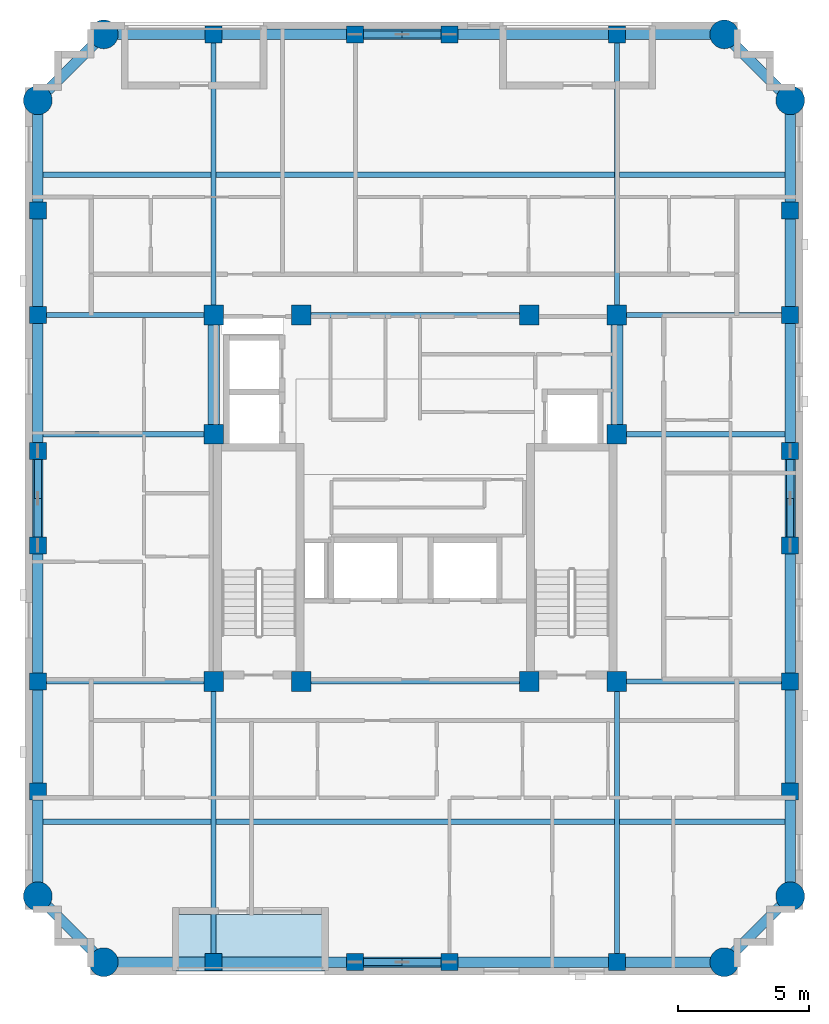
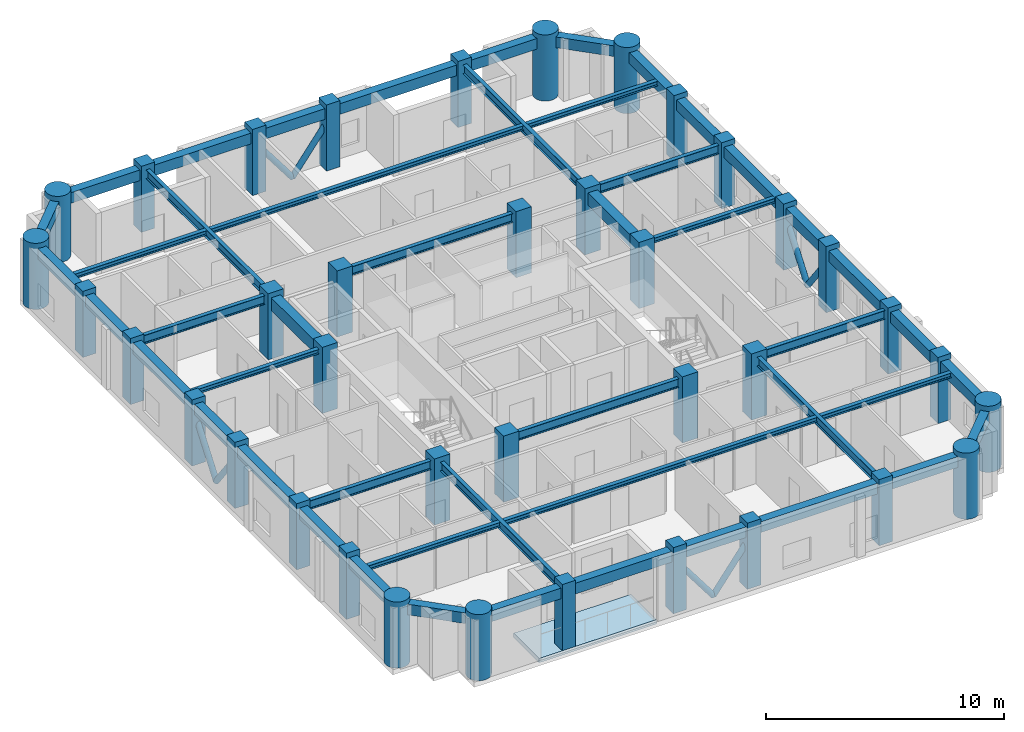
# One storey, part 1 of 10: 48 beams, 38 columns, 8 members, 1 slab.
"""IFC4 building model written with IfcOpenShell, lengths in metres."""

from ifc_helpers import new_model, si_unit, derived_unit, direction, frame, origin, origin_2d, place, context, subcontext, project, spatial, polyline, rectangle, circle, hollow_circle, i_section, outline, extrude, material, layer, layer_set, material_profile, profile_set, type_object, element, save


model = new_model("IFC4")

# Units and contexts
model_context = context("Model", 3, precision=1e-05, world=origin(), true_north=direction((0.0, 1.0)))
body_context = subcontext(model_context, "Body", "Model", "MODEL_VIEW")
ifc_project = project(units=[si_unit("LENGTHUNIT", "METRE"), si_unit("AREAUNIT", "SQUARE_METRE"), si_unit("VOLUMEUNIT", "CUBIC_METRE"), si_unit("PLANEANGLEUNIT", "RADIAN"), si_unit("MASSUNIT", "GRAM", prefix="KILO"), derived_unit("THERMALTRANSMITTANCEUNIT", [(si_unit("MASSUNIT", "GRAM", prefix="KILO"), 1), (si_unit("TIMEUNIT", "SECOND"), -3), (si_unit("THERMODYNAMICTEMPERATUREUNIT", "KELVIN"), -1)])], contexts=[model_context])

# Site, building, storey
site_placement = place(None, origin())
site = spatial("IfcSite", under=ifc_project, at=site_placement, CompositionType="ELEMENT")
building_placement = place(site_placement, origin())
building = spatial("IfcBuilding", under=site, at=building_placement, Name="Korrvale Station Residences", CompositionType="ELEMENT")
storey_placement = place(building_placement, frame((0.0, 0.0, 217.300048828125)))
storey = spatial("IfcBuildingStorey", under=building, at=storey_placement, Name="L63", CompositionType="ELEMENT", Elevation=217.300048828125)

# Columns
ifc_material_1 = material(Name="Concrete C50/60", Category="concrete")
ifc_material_profile_1 = material_profile(ifc_material_1, rectangle(XDim=0.64990234375, YDim=0.64990234375, at=origin_2d()), Name="RC650x650")
ifc_profile_set_1 = profile_set([ifc_material_profile_1], Name="Concrete C50/60")
column_type_1 = type_object("IfcColumnType", Name="COL-C-RC650x650-C5060", PredefinedType="COLUMN", material=ifc_profile_set_1)
for number, where, z_axis, x_axis, name in (
    (1, (17.800048828125, 4.280029296875, 0.0), (0.0, 0.0, 1.0), (1.0, 0.0, 0.0), "L63 Bundled-Tube South Column 02"),
    (2, (23.199951171875, 4.280029296875, 0.0), (0.0, 0.0, 1.0), (1.0, 0.0, 0.0), "L63 Bundled-Tube South Column 03"),
    (3, (26.800048828125, 4.280029296875, 0.0), (0.0, 0.0, 1.0), (1.0, 0.0, 0.0), "L63 Bundled-Tube South Column 04"),
    (4, (33.199951171875, 4.280029296875, 0.0), (0.0, 0.0, 1.0), (1.0, 0.0, 0.0), "L63 Bundled-Tube South Column 05"),
    (5, (17.800048828125, 39.719970703125, 0.0), (0.0, 0.0, 1.0), (1.0, 0.0, 0.0), "L63 Bundled-Tube North Column 08"),
    (6, (23.199951171875, 39.719970703125, 0.0), (0.0, 0.0, 1.0), (1.0, 0.0, 0.0), "L63 Bundled-Tube North Column 09"),
    (7, (26.800048828125, 39.719970703125, 0.0), (0.0, 0.0, 1.0), (1.0, 0.0, 0.0), "L63 Bundled-Tube North Column 10"),
    (8, (33.199951171875, 39.719970703125, 0.0), (0.0, 0.0, 1.0), (1.0, 0.0, 0.0), "L63 Bundled-Tube North Column 11"),
    (9, (11.080078125, 10.800048828125, 0.0), (0.0, 0.0, 1.0), (1.0, 0.0, 0.0), "L63 Bundled-Tube West Column 14"),
    (10, (11.080078125, 15.0, 0.0), (0.0, 0.0, 1.0), (1.0, 0.0, 0.0), "L63 Bundled-Tube West Column 15"),
    (11, (11.080078125, 20.199951171875, 0.0), (0.0, 0.0, 1.0), (1.0, 0.0, 0.0), "L63 Bundled-Tube West Column 16"),
    (12, (11.080078125, 23.800048828125, 0.0), (0.0, 0.0, 1.0), (1.0, 0.0, 0.0), "L63 Bundled-Tube West Column 17"),
    (13, (11.080078125, 29.0, 0.0), (0.0, 0.0, 1.0), (1.0, 0.0, 0.0), "L63 Bundled-Tube West Column 18"),
    (14, (11.080078125, 33.0, 0.0), (0.0, 0.0, 1.0), (1.0, 0.0, 0.0), "L63 Bundled-Tube West Column 19"),
    (15, (39.820068359375, 10.800048828125, 0.0), (0.0, 0.0, 1.0), (1.0, 0.0, 0.0), "L63 Bundled-Tube East Column 22"),
    (16, (39.820068359375, 15.0, 0.0), (0.0, 0.0, 1.0), (1.0, 0.0, 0.0), "L63 Bundled-Tube East Column 23"),
    (17, (39.820068359375, 20.199951171875, 0.0), (0.0, 0.0, 1.0), (1.0, 0.0, 0.0), "L63 Bundled-Tube East Column 24"),
    (18, (39.820068359375, 23.800048828125, 0.0), (0.0, 0.0, 1.0), (1.0, 0.0, 0.0), "L63 Bundled-Tube East Column 25"),
    (19, (39.820068359375, 29.0, 0.0), (0.0, 0.0, 1.0), (1.0, 0.0, 0.0), "L63 Bundled-Tube East Column 26"),
    (20, (39.820068359375, 33.0, 0.0), (0.0, 0.0, 1.0), (1.0, 0.0, 0.0), "L63 Bundled-Tube East Column 27"),
):
    element("IfcColumn", number, at=place(storey_placement, frame(where, z_axis=z_axis, x_axis=x_axis)), inside=storey, type_object=column_type_1, Name=name, PredefinedType="COLUMN", context=body_context, shape_type="SweptSolid", body=[
        extrude(rectangle(XDim=0.64990234375, YDim=0.64990234375, at=origin_2d()), origin(), (0.0, 0.0, 1.0), 3.39990234375),
    ])
ifc_material_profile_2 = material_profile(ifc_material_1, rectangle(XDim=0.75, YDim=0.75, at=origin_2d()), Name="RC750x750")
ifc_profile_set_2 = profile_set([ifc_material_profile_2], Name="Concrete C50/60")
column_type_2 = type_object("IfcColumnType", Name="COL-C-RC750x750-C5060", PredefinedType="COLUMN", material=ifc_profile_set_2)
for number, where, z_axis, x_axis, name in (
    (21, (17.800048828125, 15.0, 0.0), (0.0, 0.0, 1.0), (1.0, 0.0, 0.0), "L63 Core Column 01"),
    (22, (21.14990234375, 15.0, 0.0), (0.0, 0.0, 1.0), (1.0, 0.0, 0.0), "L63 Core Column 02"),
    (23, (29.85009765625, 15.0, 0.0), (0.0, 0.0, 1.0), (1.0, 0.0, 0.0), "L63 Core Column 03"),
    (24, (33.199951171875, 15.0, 0.0), (0.0, 0.0, 1.0), (1.0, 0.0, 0.0), "L63 Core Column 04"),
    (25, (17.800048828125, 29.0, 0.0), (0.0, 0.0, 1.0), (1.0, 0.0, 0.0), "L63 Core Column 05"),
    (26, (21.14990234375, 29.0, 0.0), (0.0, 0.0, 1.0), (1.0, 0.0, 0.0), "L63 Core Column 06"),
    (27, (29.85009765625, 29.0, 0.0), (0.0, 0.0, 1.0), (1.0, 0.0, 0.0), "L63 Core Column 07"),
    (28, (33.199951171875, 29.0, 0.0), (0.0, 0.0, 1.0), (1.0, 0.0, 0.0), "L63 Core Column 08"),
    (29, (17.800048828125, 24.449951171875, 0.0), (0.0, 0.0, 1.0), (1.0, 0.0, 0.0), "L63 Core Column 09"),
    (30, (33.199951171875, 24.449951171875, 0.0), (0.0, 0.0, 1.0), (1.0, 0.0, 0.0), "L63 Core Column 10"),
):
    element("IfcColumn", number, at=place(storey_placement, frame(where, z_axis=z_axis, x_axis=x_axis)), inside=storey, type_object=column_type_2, Name=name, PredefinedType="COLUMN", context=body_context, shape_type="SweptSolid", body=[
        extrude(rectangle(XDim=0.75, YDim=0.75, at=origin_2d()), origin(), (0.0, 0.0, 1.0), 3.39990234375),
    ])
ifc_material_profile_3 = material_profile(ifc_material_1, circle(Radius=0.550048828125, at=origin_2d()), Name="RCC1100")
ifc_profile_set_3 = profile_set([ifc_material_profile_3], Name="Concrete C50/60")
column_type_3 = type_object("IfcColumnType", Name="COL-C-RCC1100-C5060", PredefinedType="COLUMN", material=ifc_profile_set_3)
for number, where, z_axis, x_axis, name in (
    (31, (13.60009765625, 4.280029296875, 0.0), (0.0, 0.0, 1.0), (1.0, 0.0, 0.0), "L63 Bundled-Tube South Column 01"),
    (32, (37.300048828125, 4.280029296875, 0.0), (0.0, 0.0, 1.0), (1.0, 0.0, 0.0), "L63 Bundled-Tube South Column 06"),
    (33, (13.60009765625, 39.719970703125, 0.0), (0.0, 0.0, 1.0), (1.0, 0.0, 0.0), "L63 Bundled-Tube North Column 07"),
    (34, (37.300048828125, 39.719970703125, 0.0), (0.0, 0.0, 1.0), (1.0, 0.0, 0.0), "L63 Bundled-Tube North Column 12"),
    (35, (11.080078125, 6.800048828125, 0.0), (0.0, 0.0, 1.0), (1.0, 0.0, 0.0), "L63 Bundled-Tube West Column 13"),
    (36, (11.080078125, 37.199951171875, 0.0), (0.0, 0.0, 1.0), (1.0, 0.0, 0.0), "L63 Bundled-Tube West Column 20"),
    (37, (39.820068359375, 6.800048828125, 0.0), (0.0, 0.0, 1.0), (1.0, 0.0, 0.0), "L63 Bundled-Tube East Column 21"),
    (38, (39.820068359375, 37.199951171875, 0.0), (0.0, 0.0, 1.0), (1.0, 0.0, 0.0), "L63 Bundled-Tube East Column 28"),
):
    element("IfcColumn", number, at=place(storey_placement, frame(where, z_axis=z_axis, x_axis=x_axis)), inside=storey, type_object=column_type_3, Name=name, PredefinedType="COLUMN", context=body_context, shape_type="SweptSolid", body=[
        extrude(circle(Radius=0.550048828125, at=origin_2d()), origin(), (0.0, 0.0, 1.0), 3.39990234375),
    ])

# Beams
ifc_material_2 = material(Name="Steel S355", Category="steel")
ifc_material_profile_4 = material_profile(ifc_material_2, i_section(OverallWidth=0.18994140625, OverallDepth=0.45703125, WebThickness=0.009033203125, FlangeThickness=0.014404296875, FilletRadius=0.01611328125, at=origin_2d()), Name="W460x74")
ifc_profile_set_4 = profile_set([ifc_material_profile_4], Name="Steel S355")
beam_type_1 = type_object("IfcBeamType", Name="BM-BM-W460x74-S355", PredefinedType="BEAM", material=ifc_profile_set_4)
for number, where, z_axis, x_axis, name in (
    (39, (17.800048828125, 4.280029296875, 2.911376953125), (0.0, 1.0, 0.0), (-1.0, 0.0, 0.0), "L63 Bundled-Tube Web Girder 01"),
    (40, (33.199951171875, 4.280029296875, 2.911376953125), (0.0, 1.0, 0.0), (-1.0, 0.0, 0.0), "L63 Bundled-Tube Web Girder 02"),
    (41, (17.800048828125, 29.0, 2.911376953125), (0.0, 1.0, 0.0), (-1.0, 0.0, 0.0), "L63 Bundled-Tube Web Girder 03"),
    (42, (33.199951171875, 29.0, 2.911376953125), (0.0, 1.0, 0.0), (-1.0, 0.0, 0.0), "L63 Bundled-Tube Web Girder 04"),
):
    element("IfcBeam", number, at=place(storey_placement, frame(where, z_axis=z_axis, x_axis=x_axis)), inside=storey, type_object=beam_type_1, Name=name, PredefinedType="BEAM", context=body_context, shape_type="SweptSolid", body=[
        extrude(i_section(OverallWidth=0.18994140625, OverallDepth=0.45703125, WebThickness=0.009033203125, FlangeThickness=0.014404296875, FilletRadius=0.01611328125, at=origin_2d()), origin(), (0.0, 0.0, 1.0), 10.719970703125),
    ])
beam_1_placement = place(storey_placement, frame((11.080078125, 15.0, 2.911376953125), z_axis=(1.0, 0.0, 0.0), x_axis=(0.0, 1.0, 0.0)))
element("IfcBeam", 43, at=beam_1_placement, inside=storey, type_object=beam_type_1, Name="L63 Bundled-Tube Web Girder 05", PredefinedType="BEAM", context=body_context, shape_type="SweptSolid", body=[
    extrude(i_section(OverallWidth=0.18994140625, OverallDepth=0.45703125, WebThickness=0.009033203125, FlangeThickness=0.014404296875, FilletRadius=0.01611328125, at=origin_2d()), origin(), (0.0, 0.0, 1.0), 6.719970703125),
])
beam_2_placement = place(storey_placement, frame((33.199951171875, 15.0, 2.911376953125), z_axis=(1.0, 0.0, 0.0), x_axis=(0.0, 1.0, 0.0)))
element("IfcBeam", 44, at=beam_2_placement, inside=storey, type_object=beam_type_1, Name="L63 Bundled-Tube Web Girder 06", PredefinedType="BEAM", context=body_context, shape_type="SweptSolid", body=[
    extrude(i_section(OverallWidth=0.18994140625, OverallDepth=0.45703125, WebThickness=0.009033203125, FlangeThickness=0.014404296875, FilletRadius=0.01611328125, at=origin_2d()), origin(), (0.0, 0.0, 1.0), 6.6201171875),
])
beam_3_placement = place(storey_placement, frame((11.080078125, 29.0, 2.911376953125), z_axis=(1.0, 0.0, 0.0), x_axis=(0.0, 1.0, 0.0)))
element("IfcBeam", 45, at=beam_3_placement, inside=storey, type_object=beam_type_1, Name="L63 Bundled-Tube Web Girder 07", PredefinedType="BEAM", context=body_context, shape_type="SweptSolid", body=[
    extrude(i_section(OverallWidth=0.18994140625, OverallDepth=0.45703125, WebThickness=0.009033203125, FlangeThickness=0.014404296875, FilletRadius=0.01611328125, at=origin_2d()), origin(), (0.0, 0.0, 1.0), 6.719970703125),
])
beam_4_placement = place(storey_placement, frame((33.199951171875, 29.0, 2.911376953125), z_axis=(1.0, 0.0, 0.0), x_axis=(0.0, 1.0, 0.0)))
element("IfcBeam", 46, at=beam_4_placement, inside=storey, type_object=beam_type_1, Name="L63 Bundled-Tube Web Girder 08", PredefinedType="BEAM", context=body_context, shape_type="SweptSolid", body=[
    extrude(i_section(OverallWidth=0.18994140625, OverallDepth=0.45703125, WebThickness=0.009033203125, FlangeThickness=0.014404296875, FilletRadius=0.01611328125, at=origin_2d()), origin(), (0.0, 0.0, 1.0), 6.6201171875),
])
for number, where, z_axis, x_axis, name in (
    (47, (21.14990234375, 15.0, 2.911376953125), (1.0, 0.0, 0.0), (0.0, 1.0, 0.0), "L63 Bundled-Tube Web Girder 09"),
    (48, (21.14990234375, 29.0, 2.911376953125), (1.0, 0.0, 0.0), (0.0, 1.0, 0.0), "L63 Bundled-Tube Web Girder 10"),
):
    element("IfcBeam", number, at=place(storey_placement, frame(where, z_axis=z_axis, x_axis=x_axis)), inside=storey, type_object=beam_type_1, Name=name, PredefinedType="BEAM", context=body_context, shape_type="SweptSolid", body=[
        extrude(i_section(OverallWidth=0.18994140625, OverallDepth=0.45703125, WebThickness=0.009033203125, FlangeThickness=0.014404296875, FilletRadius=0.01611328125, at=origin_2d()), origin(), (0.0, 0.0, 1.0), 8.7001953125),
    ])
ifc_material_profile_5 = material_profile(ifc_material_2, i_section(OverallWidth=0.201904296875, OverallDepth=0.2470703125, WebThickness=0.00732421875, FlangeThickness=0.010986328125, FilletRadius=0.012939453125, at=origin_2d()), Name="W250x49")
ifc_profile_set_5 = profile_set([ifc_material_profile_5], Name="Steel S355")
beam_type_2 = type_object("IfcBeamType", Name="BM-JST-W250x49-S355", PredefinedType="JOIST", material=ifc_profile_set_5)
beam_5_placement = place(storey_placement, frame((11.280029296875, 9.639892578125, 3.016357421875), z_axis=(1.0, 0.0, 0.0), x_axis=(0.0, 1.0, 0.0)))
element("IfcBeam", 49, at=beam_5_placement, inside=storey, type_object=beam_type_2, Name="L63 Floor Framing Joist 01", PredefinedType="JOIST", context=body_context, shape_type="SweptSolid", body=[
    extrude(i_section(OverallWidth=0.201904296875, OverallDepth=0.2470703125, WebThickness=0.00732421875, FlangeThickness=0.010986328125, FilletRadius=0.012939453125, at=origin_2d()), origin(), (0.0, 0.0, 1.0), 6.425048828125),
])
beam_6_placement = place(storey_placement, frame((17.89501953125, 9.639892578125, 3.016357421875), z_axis=(1.0, 0.0, 0.0), x_axis=(0.0, 1.0, 0.0)))
element("IfcBeam", 50, at=beam_6_placement, inside=storey, type_object=beam_type_2, Name="L63 Floor Framing Joist 02", PredefinedType="JOIST", context=body_context, shape_type="SweptSolid", body=[
    extrude(i_section(OverallWidth=0.201904296875, OverallDepth=0.2470703125, WebThickness=0.00732421875, FlangeThickness=0.010986328125, FilletRadius=0.012939453125, at=origin_2d()), origin(), (0.0, 0.0, 1.0), 15.2099609375),
])
beam_7_placement = place(storey_placement, frame((33.294921875, 9.639892578125, 3.016357421875), z_axis=(1.0, 0.0, 0.0), x_axis=(0.0, 1.0, 0.0)))
element("IfcBeam", 51, at=beam_7_placement, inside=storey, type_object=beam_type_2, Name="L63 Floor Framing Joist 03", PredefinedType="JOIST", context=body_context, shape_type="SweptSolid", body=[
    extrude(i_section(OverallWidth=0.201904296875, OverallDepth=0.2470703125, WebThickness=0.00732421875, FlangeThickness=0.010986328125, FilletRadius=0.012939453125, at=origin_2d()), origin(), (0.0, 0.0, 1.0), 6.3251953125),
])
beam_8_placement = place(storey_placement, frame((11.280029296875, 34.360107421875, 3.016357421875), z_axis=(1.0, 0.0, 0.0), x_axis=(0.0, 1.0, 0.0)))
element("IfcBeam", 52, at=beam_8_placement, inside=storey, type_object=beam_type_2, Name="L63 Floor Framing Joist 04", PredefinedType="JOIST", context=body_context, shape_type="SweptSolid", body=[
    extrude(i_section(OverallWidth=0.201904296875, OverallDepth=0.2470703125, WebThickness=0.00732421875, FlangeThickness=0.010986328125, FilletRadius=0.012939453125, at=origin_2d()), origin(), (0.0, 0.0, 1.0), 6.425048828125),
])
beam_9_placement = place(storey_placement, frame((17.89501953125, 34.360107421875, 3.016357421875), z_axis=(1.0, 0.0, 0.0), x_axis=(0.0, 1.0, 0.0)))
element("IfcBeam", 53, at=beam_9_placement, inside=storey, type_object=beam_type_2, Name="L63 Floor Framing Joist 05", PredefinedType="JOIST", context=body_context, shape_type="SweptSolid", body=[
    extrude(i_section(OverallWidth=0.201904296875, OverallDepth=0.2470703125, WebThickness=0.00732421875, FlangeThickness=0.010986328125, FilletRadius=0.012939453125, at=origin_2d()), origin(), (0.0, 0.0, 1.0), 15.2099609375),
])
beam_10_placement = place(storey_placement, frame((33.294921875, 34.360107421875, 3.016357421875), z_axis=(1.0, 0.0, 0.0), x_axis=(0.0, 1.0, 0.0)))
element("IfcBeam", 54, at=beam_10_placement, inside=storey, type_object=beam_type_2, Name="L63 Floor Framing Joist 06", PredefinedType="JOIST", context=body_context, shape_type="SweptSolid", body=[
    extrude(i_section(OverallWidth=0.201904296875, OverallDepth=0.2470703125, WebThickness=0.00732421875, FlangeThickness=0.010986328125, FilletRadius=0.012939453125, at=origin_2d()), origin(), (0.0, 0.0, 1.0), 6.3251953125),
])
beam_11_placement = place(storey_placement, frame((33.425048828125, 24.449951171875, 3.016357421875), z_axis=(1.0, 0.0, 0.0), x_axis=(0.0, 1.0, 0.0)))
element("IfcBeam", 55, at=beam_11_placement, inside=storey, type_object=beam_type_2, Name="L63 Floor Framing Joist 07", PredefinedType="JOIST", context=body_context, shape_type="SweptSolid", body=[
    extrude(i_section(OverallWidth=0.201904296875, OverallDepth=0.2470703125, WebThickness=0.00732421875, FlangeThickness=0.010986328125, FilletRadius=0.012939453125, at=origin_2d()), origin(), (0.0, 0.0, 1.0), 6.195068359375),
])
beam_12_placement = place(storey_placement, frame((11.280029296875, 24.449951171875, 3.016357421875), z_axis=(1.0, 0.0, 0.0), x_axis=(0.0, 1.0, 0.0)))
element("IfcBeam", 56, at=beam_12_placement, inside=storey, type_object=beam_type_2, Name="L63 Floor Framing Joist 08", PredefinedType="JOIST", context=body_context, shape_type="SweptSolid", body=[
    extrude(i_section(OverallWidth=0.201904296875, OverallDepth=0.2470703125, WebThickness=0.00732421875, FlangeThickness=0.010986328125, FilletRadius=0.012939453125, at=origin_2d()), origin(), (0.0, 0.0, 1.0), 6.294921875),
])
ifc_material_profile_6 = material_profile(ifc_material_1, rectangle(XDim=0.449951171875, YDim=0.64990234375, at=origin_2d()), Name="RCB450x650")
ifc_profile_set_6 = profile_set([ifc_material_profile_6], Name="Concrete C50/60")
beam_type_3 = type_object("IfcBeamType", Name="BM-LNT-RCB450x650-C5060", PredefinedType="LINTEL", material=ifc_profile_set_6)
for number, where, z_axis, x_axis, name in (
    (57, (17.800048828125, 24.449951171875, 2.81494140625), (0.0, 1.0, 0.0), (-1.0, 0.0, 0.0), "L63 Core Coupling Lintel 1"),
    (58, (33.199951171875, 24.449951171875, 2.81494140625), (0.0, 1.0, 0.0), (-1.0, 0.0, 0.0), "L63 Core Coupling Lintel 2"),
):
    element("IfcBeam", number, at=place(storey_placement, frame(where, z_axis=z_axis, x_axis=x_axis)), inside=storey, type_object=beam_type_3, Name=name, PredefinedType="LINTEL", context=body_context, shape_type="SweptSolid", body=[
        extrude(rectangle(XDim=0.449951171875, YDim=0.64990234375, at=origin_2d()), origin(), (0.0, 0.0, 1.0), 4.550048828125),
    ])
ifc_material_profile_7 = material_profile(ifc_material_1, rectangle(XDim=0.39990234375, YDim=0.550048828125, at=origin_2d()), Name="RCB400x550")
ifc_profile_set_7 = profile_set([ifc_material_profile_7], Name="Concrete C50/60")
beam_type_4 = type_object("IfcBeamType", Name="BM-SPB-RCB400x550-C5060", PredefinedType="SPANDREL", material=ifc_profile_set_7)
beam_13_placement = place(storey_placement, frame((13.60009765625, 4.280029296875, 2.864990234375), z_axis=(1.0, 0.0, 0.0), x_axis=(0.0, 1.0, 0.0)))
element("IfcBeam", 59, at=beam_13_placement, inside=storey, type_object=beam_type_4, Name="L63 South Tube Spandrel 01", PredefinedType="SPANDREL", context=body_context, shape_type="SweptSolid", body=[
    extrude(rectangle(XDim=0.39990234375, YDim=0.550048828125, at=origin_2d()), origin(), (0.0, 0.0, 1.0), 4.199951171875),
])
beam_14_placement = place(storey_placement, frame((17.800048828125, 4.280029296875, 2.864990234375), z_axis=(1.0, 0.0, 0.0), x_axis=(0.0, 1.0, 0.0)))
element("IfcBeam", 60, at=beam_14_placement, inside=storey, type_object=beam_type_4, Name="L63 South Tube Spandrel 02", PredefinedType="SPANDREL", context=body_context, shape_type="SweptSolid", body=[
    extrude(rectangle(XDim=0.39990234375, YDim=0.550048828125, at=origin_2d()), origin(), (0.0, 0.0, 1.0), 5.39990234375),
])
beam_15_placement = place(storey_placement, frame((23.199951171875, 4.280029296875, 2.864990234375), z_axis=(1.0, 0.0, 0.0), x_axis=(0.0, 1.0, 0.0)))
element("IfcBeam", 61, at=beam_15_placement, inside=storey, type_object=beam_type_4, Name="L63 South Tube Spandrel 03", PredefinedType="SPANDREL", context=body_context, shape_type="SweptSolid", body=[
    extrude(rectangle(XDim=0.39990234375, YDim=0.550048828125, at=origin_2d()), origin(), (0.0, 0.0, 1.0), 3.60009765625),
])
beam_16_placement = place(storey_placement, frame((26.800048828125, 4.280029296875, 2.864990234375), z_axis=(1.0, 0.0, 0.0), x_axis=(0.0, 1.0, 0.0)))
element("IfcBeam", 62, at=beam_16_placement, inside=storey, type_object=beam_type_4, Name="L63 South Tube Spandrel 04", PredefinedType="SPANDREL", context=body_context, shape_type="SweptSolid", body=[
    extrude(rectangle(XDim=0.39990234375, YDim=0.550048828125, at=origin_2d()), origin(), (0.0, 0.0, 1.0), 6.39990234375),
])
beam_17_placement = place(storey_placement, frame((33.199951171875, 4.280029296875, 2.864990234375), z_axis=(1.0, 0.0, 0.0), x_axis=(0.0, 1.0, 0.0)))
element("IfcBeam", 63, at=beam_17_placement, inside=storey, type_object=beam_type_4, Name="L63 South Tube Spandrel 05", PredefinedType="SPANDREL", context=body_context, shape_type="SweptSolid", body=[
    extrude(rectangle(XDim=0.39990234375, YDim=0.550048828125, at=origin_2d()), origin(), (0.0, 0.0, 1.0), 4.10009765625),
])
beam_18_placement = place(storey_placement, frame((13.60009765625, 39.719970703125, 2.864990234375), z_axis=(1.0, 0.0, 0.0), x_axis=(0.0, 1.0, 0.0)))
element("IfcBeam", 64, at=beam_18_placement, inside=storey, type_object=beam_type_4, Name="L63 North Tube Spandrel 06", PredefinedType="SPANDREL", context=body_context, shape_type="SweptSolid", body=[
    extrude(rectangle(XDim=0.39990234375, YDim=0.550048828125, at=origin_2d()), origin(), (0.0, 0.0, 1.0), 4.199951171875),
])
beam_19_placement = place(storey_placement, frame((17.800048828125, 39.719970703125, 2.864990234375), z_axis=(1.0, 0.0, 0.0), x_axis=(0.0, 1.0, 0.0)))
element("IfcBeam", 65, at=beam_19_placement, inside=storey, type_object=beam_type_4, Name="L63 North Tube Spandrel 07", PredefinedType="SPANDREL", context=body_context, shape_type="SweptSolid", body=[
    extrude(rectangle(XDim=0.39990234375, YDim=0.550048828125, at=origin_2d()), origin(), (0.0, 0.0, 1.0), 5.39990234375),
])
beam_20_placement = place(storey_placement, frame((23.199951171875, 39.719970703125, 2.864990234375), z_axis=(1.0, 0.0, 0.0), x_axis=(0.0, 1.0, 0.0)))
element("IfcBeam", 66, at=beam_20_placement, inside=storey, type_object=beam_type_4, Name="L63 North Tube Spandrel 08", PredefinedType="SPANDREL", context=body_context, shape_type="SweptSolid", body=[
    extrude(rectangle(XDim=0.39990234375, YDim=0.550048828125, at=origin_2d()), origin(), (0.0, 0.0, 1.0), 3.60009765625),
])
beam_21_placement = place(storey_placement, frame((26.800048828125, 39.719970703125, 2.864990234375), z_axis=(1.0, 0.0, 0.0), x_axis=(0.0, 1.0, 0.0)))
element("IfcBeam", 67, at=beam_21_placement, inside=storey, type_object=beam_type_4, Name="L63 North Tube Spandrel 09", PredefinedType="SPANDREL", context=body_context, shape_type="SweptSolid", body=[
    extrude(rectangle(XDim=0.39990234375, YDim=0.550048828125, at=origin_2d()), origin(), (0.0, 0.0, 1.0), 6.39990234375),
])
beam_22_placement = place(storey_placement, frame((33.199951171875, 39.719970703125, 2.864990234375), z_axis=(1.0, 0.0, 0.0), x_axis=(0.0, 1.0, 0.0)))
element("IfcBeam", 68, at=beam_22_placement, inside=storey, type_object=beam_type_4, Name="L63 North Tube Spandrel 10", PredefinedType="SPANDREL", context=body_context, shape_type="SweptSolid", body=[
    extrude(rectangle(XDim=0.39990234375, YDim=0.550048828125, at=origin_2d()), origin(), (0.0, 0.0, 1.0), 4.10009765625),
])
beam_23_placement = place(storey_placement, frame((11.080078125, 6.800048828125, 2.864990234375), z_axis=(0.0, 1.0, 0.0), x_axis=(-1.0, 0.0, 0.0)))
element("IfcBeam", 69, at=beam_23_placement, inside=storey, type_object=beam_type_4, Name="L63 West Tube Spandrel 11", PredefinedType="SPANDREL", context=body_context, shape_type="SweptSolid", body=[
    extrude(rectangle(XDim=0.39990234375, YDim=0.550048828125, at=origin_2d()), origin(), (0.0, 0.0, 1.0), 4.0),
])
beam_24_placement = place(storey_placement, frame((11.080078125, 10.800048828125, 2.864990234375), z_axis=(0.0, 1.0, 0.0), x_axis=(-1.0, 0.0, 0.0)))
element("IfcBeam", 70, at=beam_24_placement, inside=storey, type_object=beam_type_4, Name="L63 West Tube Spandrel 12", PredefinedType="SPANDREL", context=body_context, shape_type="SweptSolid", body=[
    extrude(rectangle(XDim=0.39990234375, YDim=0.550048828125, at=origin_2d()), origin(), (0.0, 0.0, 1.0), 4.199951171875),
])
beam_25_placement = place(storey_placement, frame((11.080078125, 15.0, 2.864990234375), z_axis=(0.0, 1.0, 0.0), x_axis=(-1.0, 0.0, 0.0)))
element("IfcBeam", 71, at=beam_25_placement, inside=storey, type_object=beam_type_4, Name="L63 West Tube Spandrel 13", PredefinedType="SPANDREL", context=body_context, shape_type="SweptSolid", body=[
    extrude(rectangle(XDim=0.39990234375, YDim=0.550048828125, at=origin_2d()), origin(), (0.0, 0.0, 1.0), 5.199951171875),
])
beam_26_placement = place(storey_placement, frame((11.080078125, 20.199951171875, 2.864990234375), z_axis=(0.0, 1.0, 0.0), x_axis=(-1.0, 0.0, 0.0)))
element("IfcBeam", 72, at=beam_26_placement, inside=storey, type_object=beam_type_4, Name="L63 West Tube Spandrel 14", PredefinedType="SPANDREL", context=body_context, shape_type="SweptSolid", body=[
    extrude(rectangle(XDim=0.39990234375, YDim=0.550048828125, at=origin_2d()), origin(), (0.0, 0.0, 1.0), 3.60009765625),
])
beam_27_placement = place(storey_placement, frame((11.080078125, 23.800048828125, 2.864990234375), z_axis=(0.0, 1.0, 0.0), x_axis=(-1.0, 0.0, 0.0)))
element("IfcBeam", 73, at=beam_27_placement, inside=storey, type_object=beam_type_4, Name="L63 West Tube Spandrel 15", PredefinedType="SPANDREL", context=body_context, shape_type="SweptSolid", body=[
    extrude(rectangle(XDim=0.39990234375, YDim=0.550048828125, at=origin_2d()), origin(), (0.0, 0.0, 1.0), 5.199951171875),
])
beam_28_placement = place(storey_placement, frame((11.080078125, 29.0, 2.864990234375), z_axis=(0.0, 1.0, 0.0), x_axis=(-1.0, 0.0, 0.0)))
element("IfcBeam", 74, at=beam_28_placement, inside=storey, type_object=beam_type_4, Name="L63 West Tube Spandrel 16", PredefinedType="SPANDREL", context=body_context, shape_type="SweptSolid", body=[
    extrude(rectangle(XDim=0.39990234375, YDim=0.550048828125, at=origin_2d()), origin(), (0.0, 0.0, 1.0), 4.0),
])
beam_29_placement = place(storey_placement, frame((11.080078125, 33.0, 2.864990234375), z_axis=(0.0, 1.0, 0.0), x_axis=(-1.0, 0.0, 0.0)))
element("IfcBeam", 75, at=beam_29_placement, inside=storey, type_object=beam_type_4, Name="L63 West Tube Spandrel 17", PredefinedType="SPANDREL", context=body_context, shape_type="SweptSolid", body=[
    extrude(rectangle(XDim=0.39990234375, YDim=0.550048828125, at=origin_2d()), origin(), (0.0, 0.0, 1.0), 4.199951171875),
])
beam_30_placement = place(storey_placement, frame((39.820068359375, 6.800048828125, 2.864990234375), z_axis=(0.0, 1.0, 0.0), x_axis=(-1.0, 0.0, 0.0)))
element("IfcBeam", 76, at=beam_30_placement, inside=storey, type_object=beam_type_4, Name="L63 East Tube Spandrel 18", PredefinedType="SPANDREL", context=body_context, shape_type="SweptSolid", body=[
    extrude(rectangle(XDim=0.39990234375, YDim=0.550048828125, at=origin_2d()), origin(), (0.0, 0.0, 1.0), 4.0),
])
beam_31_placement = place(storey_placement, frame((39.820068359375, 10.800048828125, 2.864990234375), z_axis=(0.0, 1.0, 0.0), x_axis=(-1.0, 0.0, 0.0)))
element("IfcBeam", 77, at=beam_31_placement, inside=storey, type_object=beam_type_4, Name="L63 East Tube Spandrel 19", PredefinedType="SPANDREL", context=body_context, shape_type="SweptSolid", body=[
    extrude(rectangle(XDim=0.39990234375, YDim=0.550048828125, at=origin_2d()), origin(), (0.0, 0.0, 1.0), 4.199951171875),
])
beam_32_placement = place(storey_placement, frame((39.820068359375, 15.0, 2.864990234375), z_axis=(0.0, 1.0, 0.0), x_axis=(-1.0, 0.0, 0.0)))
element("IfcBeam", 78, at=beam_32_placement, inside=storey, type_object=beam_type_4, Name="L63 East Tube Spandrel 20", PredefinedType="SPANDREL", context=body_context, shape_type="SweptSolid", body=[
    extrude(rectangle(XDim=0.39990234375, YDim=0.550048828125, at=origin_2d()), origin(), (0.0, 0.0, 1.0), 5.199951171875),
])
beam_33_placement = place(storey_placement, frame((39.820068359375, 20.199951171875, 2.864990234375), z_axis=(0.0, 1.0, 0.0), x_axis=(-1.0, 0.0, 0.0)))
element("IfcBeam", 79, at=beam_33_placement, inside=storey, type_object=beam_type_4, Name="L63 East Tube Spandrel 21", PredefinedType="SPANDREL", context=body_context, shape_type="SweptSolid", body=[
    extrude(rectangle(XDim=0.39990234375, YDim=0.550048828125, at=origin_2d()), origin(), (0.0, 0.0, 1.0), 3.60009765625),
])
beam_34_placement = place(storey_placement, frame((39.820068359375, 23.800048828125, 2.864990234375), z_axis=(0.0, 1.0, 0.0), x_axis=(-1.0, 0.0, 0.0)))
element("IfcBeam", 80, at=beam_34_placement, inside=storey, type_object=beam_type_4, Name="L63 East Tube Spandrel 22", PredefinedType="SPANDREL", context=body_context, shape_type="SweptSolid", body=[
    extrude(rectangle(XDim=0.39990234375, YDim=0.550048828125, at=origin_2d()), origin(), (0.0, 0.0, 1.0), 5.199951171875),
])
beam_35_placement = place(storey_placement, frame((39.820068359375, 29.0, 2.864990234375), z_axis=(0.0, 1.0, 0.0), x_axis=(-1.0, 0.0, 0.0)))
element("IfcBeam", 81, at=beam_35_placement, inside=storey, type_object=beam_type_4, Name="L63 East Tube Spandrel 23", PredefinedType="SPANDREL", context=body_context, shape_type="SweptSolid", body=[
    extrude(rectangle(XDim=0.39990234375, YDim=0.550048828125, at=origin_2d()), origin(), (0.0, 0.0, 1.0), 4.0),
])
beam_36_placement = place(storey_placement, frame((39.820068359375, 33.0, 2.864990234375), z_axis=(0.0, 1.0, 0.0), x_axis=(-1.0, 0.0, 0.0)))
element("IfcBeam", 82, at=beam_36_placement, inside=storey, type_object=beam_type_4, Name="L63 East Tube Spandrel 24", PredefinedType="SPANDREL", context=body_context, shape_type="SweptSolid", body=[
    extrude(rectangle(XDim=0.39990234375, YDim=0.550048828125, at=origin_2d()), origin(), (0.0, 0.0, 1.0), 4.199951171875),
])
for number, where, z_axis, x_axis, name in (
    (83, (13.60009765625, 4.280029296875, 2.864990234375), (-0.707106781187, 0.707106781187, 0.0), (-0.707106781187, -0.707106781187, 0.0), "L63 Serrated Corner Spandrel 25"),
    (84, (37.300048828125, 4.280029296875, 2.864990234375), (0.707106781187, 0.707106781187, 0.0), (-0.707106781187, 0.707106781187, 0.0), "L63 Serrated Corner Spandrel 26"),
    (85, (37.300048828125, 39.719970703125, 2.864990234375), (0.707106781187, -0.707106781187, 0.0), (0.707106781187, 0.707106781187, 0.0), "L63 Serrated Corner Spandrel 27"),
    (86, (13.60009765625, 39.719970703125, 2.864990234375), (-0.707106781187, -0.707106781187, 0.0), (0.707106781187, -0.707106781187, 0.0), "L63 Serrated Corner Spandrel 28"),
):
    element("IfcBeam", number, at=place(storey_placement, frame(where, z_axis=z_axis, x_axis=x_axis)), inside=storey, type_object=beam_type_4, Name=name, PredefinedType="SPANDREL", context=body_context, shape_type="SweptSolid", body=[
        extrude(rectangle(XDim=0.39990234375, YDim=0.550048828125, at=origin_2d()), origin(), (0.0, 0.0, 1.0), 3.56396484375),
    ])

# Members
ifc_material_profile_8 = material_profile(ifc_material_2, hollow_circle(Radius=0.136474609375, WallThickness=0.015869140625, at=origin_2d()), Name="HSS273x16")
ifc_profile_set_8 = profile_set([ifc_material_profile_8], Name="Steel S355")
member_type = type_object("IfcMemberType", Name="MBR-BR-HSS273x16", PredefinedType="BRACE", material=ifc_profile_set_8)
for number, where, z_axis, x_axis, name in (
    (87, (25.0, 4.280029296875, 0.02001953125), (-0.601630735092, 0.0, 0.798774347731), (0.0, -1.0, 0.0), "L63 S Perimeter Tube Wind Brace 1"),
    (88, (25.0, 4.280029296875, 0.02001953125), (0.601630735092, 0.0, 0.798774347731), (0.0, 1.0, 0.0), "L63 S Perimeter Tube Wind Brace 2"),
    (89, (25.0, 39.719970703125, 0.02001953125), (-0.601630735092, 0.0, 0.798774347731), (0.0, -1.0, 0.0), "L63 N Perimeter Tube Wind Brace 1"),
    (90, (25.0, 39.719970703125, 0.02001953125), (0.601630735092, 0.0, 0.798774347731), (0.0, 1.0, 0.0), "L63 N Perimeter Tube Wind Brace 2"),
    (91, (11.080078125, 22.0, 0.02001953125), (0.0, -0.601630735092, 0.798774347731), (1.0, 0.0, 0.0), "L63 W Perimeter Tube Wind Brace 1"),
    (92, (11.080078125, 22.0, 0.02001953125), (0.0, 0.601630735092, 0.798774347731), (-1.0, 0.0, 0.0), "L63 W Perimeter Tube Wind Brace 2"),
    (93, (39.820068359375, 22.0, 0.02001953125), (0.0, -0.601630735092, 0.798774347731), (1.0, 0.0, 0.0), "L63 E Perimeter Tube Wind Brace 1"),
    (94, (39.820068359375, 22.0, 0.02001953125), (0.0, 0.601630735092, 0.798774347731), (-1.0, 0.0, 0.0), "L63 E Perimeter Tube Wind Brace 2"),
):
    element("IfcMember", number, at=place(storey_placement, frame(where, z_axis=z_axis, x_axis=x_axis)), inside=storey, type_object=member_type, Name=name, PredefinedType="BRACE", context=body_context, shape_type="SweptSolid", body=[
        extrude(hollow_circle(Radius=0.136474609375, WallThickness=0.015869140625, at=origin_2d()), origin(), (0.0, 0.0, 1.0), 2.991943359375),
    ])

# Slab
ifc_layer = layer(ifc_material_1, 0.219970703125, Name="Concrete C50/60")
ifc_layer_set = layer_set([ifc_layer], Name="Concrete C50/60")
slab_type = type_object("IfcSlabType", Name="SLB-BAL-220", PredefinedType="FLOOR", material=ifc_layer_set)
slab_placement = place(storey_placement, frame((0.0, 0.0, -0.219970703125)))
element("IfcSlab", 95, at=slab_placement, inside=storey, type_object=slab_type, Name="L63 Recessed Loggia Balcony Slab BAL-L63-S1", PredefinedType="FLOOR", context=body_context, shape_type="SweptSolid", body=[
    extrude(outline(polyline([(16.35009765625, 3.949951171875), (22.050048828125, 3.949951171875), (22.050048828125, 6.10009765625), (16.35009765625, 6.10009765625), (16.35009765625, 3.949951171875)])), origin(), (0.0, 0.0, 1.0), 0.219970703125),
])

save(model, "model.ifc")
